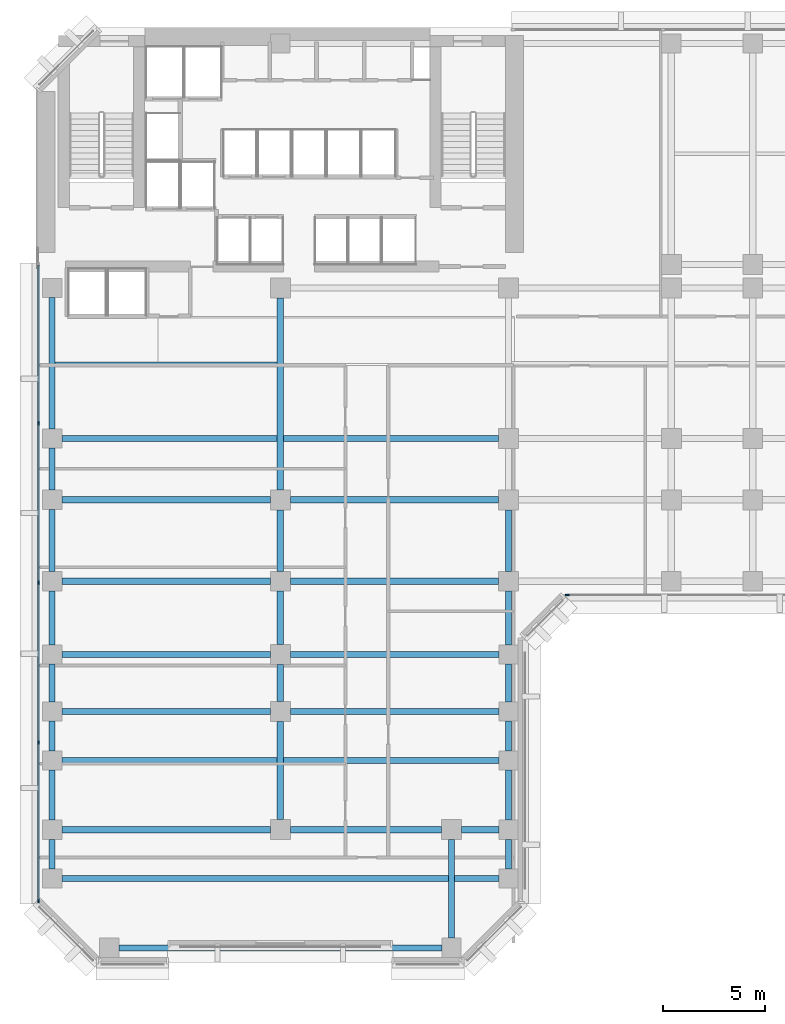
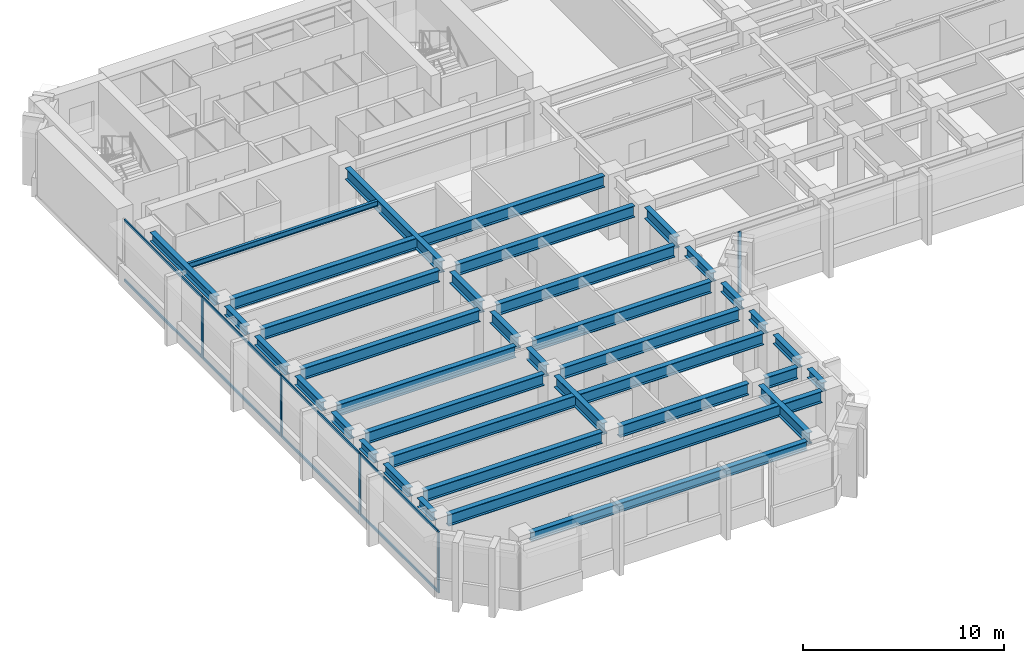
# One storey, part 2 of 14: 36 beams, 13 members, 2 elements without a shape of their own.
"""IFC4 building model written with IfcOpenShell, lengths in metres."""

from ifc_helpers import new_model, si_unit, direction, frame, origin, origin_2d, place, context, subcontext, project, spatial, rectangle, i_section, extrude, material, layer, layer_set, material_profile, profile_set, type_object, element, aggregate, save


model = new_model("IFC4")

# Units and contexts
model_context = context("Model", 3, precision=1e-05, world=origin(), true_north=direction((0.0, 1.0)))
body_context = subcontext(model_context, "Body", "Model", "MODEL_VIEW")
ifc_project = project(units=[si_unit("LENGTHUNIT", "METRE"), si_unit("AREAUNIT", "SQUARE_METRE"), si_unit("VOLUMEUNIT", "CUBIC_METRE"), si_unit("PLANEANGLEUNIT", "RADIAN"), si_unit("MASSUNIT", "GRAM", prefix="KILO")], contexts=[model_context])

# Site, building, storey
site_placement = place(None, origin())
site = spatial("IfcSite", under=ifc_project, at=site_placement, CompositionType="ELEMENT")
building_placement = place(site_placement, origin())
building = spatial("IfcBuilding", under=site, at=building_placement, Name="Kefirva Bronze Tower", CompositionType="ELEMENT")
storey_placement = place(building_placement, frame((0.0, 0.0, 66.0)))
storey = spatial("IfcBuildingStorey", under=building, at=storey_placement, Name="L15", CompositionType="ELEMENT", Elevation=66.0)

# Curtain wall, member
ifc_material_1 = material(Name="Bronze anodised aluminium", Category="aluminium")
ifc_layer = layer(ifc_material_1, 0.199951171875, Name="Bronze anodised aluminium")
ifc_layer_set = layer_set([ifc_layer], Name="Bronze anodised aluminium")
curtain_wall_type = type_object("IfcCurtainWallType", Name="Unitised Bronze Ribbon Curtain Wall Zone 1", PredefinedType="USERDEFINED", material=ifc_layer_set)
curtain_wall_1_placement = place(storey_placement, origin())
curtain_wall_1 = element("IfcCurtainWall", 1, at=curtain_wall_1_placement, inside=storey, type_object=curtain_wall_type, Name="L15 Curtain Wall 1", ObjectType="UNITISED CURTAIN WALL", PredefinedType="USERDEFINED")
ifc_material_profile_1 = material_profile(ifc_material_1, rectangle(XDim=0.074951171875, YDim=0.179931640625, at=origin_2d()), Name="ALU 75x180")
ifc_profile_set_1 = profile_set([ifc_material_profile_1], Name="Bronze anodised aluminium")
member_type_1 = type_object("IfcMemberType", Name="Bronze Mullion 75x180", PredefinedType="MULLION", material=ifc_profile_set_1)
member_1_placement = place(storey_placement, frame((26.092529296875, 18.1201171875, 0.0), z_axis=(0.0, 0.0, 1.0), x_axis=(0.0, 1.0, 0.0)))
member_1 = element("IfcMember", 2, at=member_1_placement, type_object=member_type_1, Name="CW-01 mullion 1", PredefinedType="MULLION", context=body_context, shape_type="SweptSolid", body=[
    extrude(rectangle(XDim=0.074951171875, YDim=0.179931640625, at=origin_2d()), origin(), (0.0, 0.0, 1.0), 3.7099609375),
])
aggregate(curtain_wall_1, [member_1])

# Curtain wall, members
curtain_wall_2_placement = place(storey_placement, origin())
curtain_wall_2 = element("IfcCurtainWall", 3, at=curtain_wall_2_placement, inside=storey, type_object=curtain_wall_type, Name="L15 Curtain Wall 4", ObjectType="UNITISED CURTAIN WALL", PredefinedType="USERDEFINED")
member_2_placement = place(storey_placement, frame((0.1201171875, 26.56005859375, 0.0), z_axis=(0.0, 0.0, 1.0), x_axis=(1.0, 0.0, 0.0)))
member_2 = element("IfcMember", 4, at=member_2_placement, type_object=member_type_1, Name="CW-01 mullion 2", PredefinedType="MULLION", context=body_context, shape_type="SweptSolid", body=[
    extrude(rectangle(XDim=0.074951171875, YDim=0.179931640625, at=origin_2d()), origin(), (0.0, 0.0, 1.0), 3.7099609375),
])
member_3_placement = place(storey_placement, frame((0.1201171875, 18.72509765625, 0.0), z_axis=(0.0, 0.0, 1.0), x_axis=(1.0, 0.0, 0.0)))
member_3 = element("IfcMember", 5, at=member_3_placement, type_object=member_type_1, Name="CW-01 mullion 3", PredefinedType="MULLION", context=body_context, shape_type="SweptSolid", body=[
    extrude(rectangle(XDim=0.074951171875, YDim=0.179931640625, at=origin_2d()), origin(), (0.0, 0.0, 1.0), 3.7099609375),
])
member_4_placement = place(storey_placement, frame((0.1201171875, 10.889892578125, 0.0), z_axis=(0.0, 0.0, 1.0), x_axis=(1.0, 0.0, 0.0)))
member_4 = element("IfcMember", 6, at=member_4_placement, type_object=member_type_1, Name="CW-01 mullion 4", PredefinedType="MULLION", context=body_context, shape_type="SweptSolid", body=[
    extrude(rectangle(XDim=0.074951171875, YDim=0.179931640625, at=origin_2d()), origin(), (0.0, 0.0, 1.0), 3.7099609375),
])
member_5_placement = place(storey_placement, frame((0.1201171875, 3.092529296875, 0.0), z_axis=(0.0, 0.0, 1.0), x_axis=(1.0, 0.0, 0.0)))
member_5 = element("IfcMember", 7, at=member_5_placement, type_object=member_type_1, Name="CW-01 mullion 5", PredefinedType="MULLION", context=body_context, shape_type="SweptSolid", body=[
    extrude(rectangle(XDim=0.074951171875, YDim=0.179931640625, at=origin_2d()), origin(), (0.0, 0.0, 1.0), 3.7099609375),
])
ifc_material_profile_2 = material_profile(ifc_material_1, rectangle(XDim=0.074951171875, YDim=0.14990234375, at=origin_2d()), Name="ALU 75x150")
ifc_profile_set_2 = profile_set([ifc_material_profile_2], Name="Bronze anodised aluminium")
member_type_2 = type_object("IfcMemberType", Name="Bronze Transom 75x150", PredefinedType="USERDEFINED", material=ifc_profile_set_2)
member_6_placement = place(storey_placement, frame((0.1201171875, 34.320068359375, 0.03759765625), z_axis=(0.0, -1.0, 0.0), x_axis=(1.0, 0.0, 0.0)))
member_6 = element("IfcMember", 8, at=member_6_placement, type_object=member_type_2, Name="CW-01 transom 1.1", ObjectType="TRANSOM", PredefinedType="USERDEFINED", context=body_context, shape_type="SweptSolid", body=[
    extrude(rectangle(XDim=0.074951171875, YDim=0.14990234375, at=origin_2d()), origin(), (0.0, 0.0, 1.0), 7.72265625),
])
member_7_placement = place(storey_placement, frame((0.1201171875, 34.320068359375, 3.672607421875), z_axis=(0.0, -1.0, 0.0), x_axis=(1.0, 0.0, 0.0)))
member_7 = element("IfcMember", 9, at=member_7_placement, type_object=member_type_2, Name="CW-01 transom 1.2", ObjectType="TRANSOM", PredefinedType="USERDEFINED", context=body_context, shape_type="SweptSolid", body=[
    extrude(rectangle(XDim=0.074951171875, YDim=0.14990234375, at=origin_2d()), origin(), (0.0, 0.0, 1.0), 7.72265625),
])
member_8_placement = place(storey_placement, frame((0.1201171875, 26.5224609375, 0.03759765625), z_axis=(0.0, -1.0, 0.0), x_axis=(1.0, 0.0, 0.0)))
member_8 = element("IfcMember", 10, at=member_8_placement, type_object=member_type_2, Name="CW-01 transom 2.1", ObjectType="TRANSOM", PredefinedType="USERDEFINED", context=body_context, shape_type="SweptSolid", body=[
    extrude(rectangle(XDim=0.074951171875, YDim=0.14990234375, at=origin_2d()), origin(), (0.0, 0.0, 1.0), 7.760009765625),
])
member_9_placement = place(storey_placement, frame((0.1201171875, 26.5224609375, 3.672607421875), z_axis=(0.0, -1.0, 0.0), x_axis=(1.0, 0.0, 0.0)))
member_9 = element("IfcMember", 11, at=member_9_placement, type_object=member_type_2, Name="CW-01 transom 2.2", ObjectType="TRANSOM", PredefinedType="USERDEFINED", context=body_context, shape_type="SweptSolid", body=[
    extrude(rectangle(XDim=0.074951171875, YDim=0.14990234375, at=origin_2d()), origin(), (0.0, 0.0, 1.0), 7.760009765625),
])
member_10_placement = place(storey_placement, frame((0.1201171875, 18.6875, 0.03759765625), z_axis=(0.0, -1.0, 0.0), x_axis=(1.0, 0.0, 0.0)))
member_10 = element("IfcMember", 12, at=member_10_placement, type_object=member_type_2, Name="CW-01 transom 3.1", ObjectType="TRANSOM", PredefinedType="USERDEFINED", context=body_context, shape_type="SweptSolid", body=[
    extrude(rectangle(XDim=0.074951171875, YDim=0.14990234375, at=origin_2d()), origin(), (0.0, 0.0, 1.0), 7.760009765625),
])
member_11_placement = place(storey_placement, frame((0.1201171875, 18.6875, 3.672607421875), z_axis=(0.0, -1.0, 0.0), x_axis=(1.0, 0.0, 0.0)))
member_11 = element("IfcMember", 13, at=member_11_placement, type_object=member_type_2, Name="CW-01 transom 3.2", ObjectType="TRANSOM", PredefinedType="USERDEFINED", context=body_context, shape_type="SweptSolid", body=[
    extrude(rectangle(XDim=0.074951171875, YDim=0.14990234375, at=origin_2d()), origin(), (0.0, 0.0, 1.0), 7.760009765625),
])
member_12_placement = place(storey_placement, frame((0.1201171875, 10.8525390625, 0.03759765625), z_axis=(0.0, -1.0, 0.0), x_axis=(1.0, 0.0, 0.0)))
member_12 = element("IfcMember", 14, at=member_12_placement, type_object=member_type_2, Name="CW-01 transom 4.1", ObjectType="TRANSOM", PredefinedType="USERDEFINED", context=body_context, shape_type="SweptSolid", body=[
    extrude(rectangle(XDim=0.074951171875, YDim=0.14990234375, at=origin_2d()), origin(), (0.0, 0.0, 1.0), 7.72265625),
])
member_13_placement = place(storey_placement, frame((0.1201171875, 10.8525390625, 3.672607421875), z_axis=(0.0, -1.0, 0.0), x_axis=(1.0, 0.0, 0.0)))
member_13 = element("IfcMember", 15, at=member_13_placement, type_object=member_type_2, Name="CW-01 transom 4.2", ObjectType="TRANSOM", PredefinedType="USERDEFINED", context=body_context, shape_type="SweptSolid", body=[
    extrude(rectangle(XDim=0.074951171875, YDim=0.14990234375, at=origin_2d()), origin(), (0.0, 0.0, 1.0), 7.72265625),
])
aggregate(curtain_wall_2, [member_2, member_3, member_4, member_5, member_6, member_7, member_8, member_9, member_10, member_11, member_12, member_13])

# Beams
ifc_material_2 = material(Name="Steel S355", Category="steel")
ifc_material_profile_3 = material_profile(ifc_material_2, i_section(OverallWidth=0.159912109375, OverallDepth=0.330078125, WebThickness=0.007568359375, FlangeThickness=0.011474609375, at=origin_2d()), Name="IPE 330")
ifc_profile_set_3 = profile_set([ifc_material_profile_3], Name="Steel S355")
beam_type_1 = type_object("IfcBeamType", Name="Steel Floor Joist IPE 330", PredefinedType="JOIST", material=ifc_profile_set_3)
beam_1_placement = place(storey_placement, frame((0.949951171875, 29.489990234375, 3.544921875), z_axis=(1.0, 0.0, 0.0), x_axis=(0.0, 1.0, 0.0)))
element("IfcBeam", 16, at=beam_1_placement, inside=storey, type_object=beam_type_1, Name="L15 JST-L15-0-294", PredefinedType="JOIST", context=body_context, shape_type="SweptSolid", body=[
    extrude(i_section(OverallWidth=0.159912109375, OverallDepth=0.330078125, WebThickness=0.007568359375, FlangeThickness=0.011474609375, at=origin_2d()), origin(), (0.0, 0.0, 1.0), 10.900146484375),
])
ifc_material_profile_4 = material_profile(ifc_material_2, i_section(OverallWidth=0.300048828125, OverallDepth=0.699951171875, WebThickness=0.01708984375, FlangeThickness=0.031982421875, at=origin_2d()), Name="HEB 700")
ifc_profile_set_4 = profile_set([ifc_material_profile_4], Name="Steel S355")
beam_type_2 = type_object("IfcBeamType", Name="Steel Girder HEB 700", PredefinedType="USERDEFINED", material=ifc_profile_set_4)
beam_2_placement = place(storey_placement, frame((1.27001953125, 4.199951171875, 3.360107421875), z_axis=(1.0, 0.0, 0.0), x_axis=(0.0, 1.0, 0.0)))
element("IfcBeam", 17, at=beam_2_placement, inside=storey, type_object=beam_type_2, Name="L15 BM-L15-EW-0-42", ObjectType="GIRDER", PredefinedType="USERDEFINED", context=body_context, shape_type="SweptSolid", body=[
    extrude(i_section(OverallWidth=0.300048828125, OverallDepth=0.699951171875, WebThickness=0.01708984375, FlangeThickness=0.031982421875, at=origin_2d()), origin(), (0.0, 0.0, 1.0), 21.4599609375),
])
beam_3_placement = place(storey_placement, frame((1.27001953125, 6.60009765625, 3.360107421875), z_axis=(1.0, 0.0, 0.0), x_axis=(0.0, 1.0, 0.0)))
element("IfcBeam", 18, at=beam_3_placement, inside=storey, type_object=beam_type_2, Name="L15 BM-L15-EW-0-66", ObjectType="GIRDER", PredefinedType="USERDEFINED", context=body_context, shape_type="SweptSolid", body=[
    extrude(i_section(OverallWidth=0.300048828125, OverallDepth=0.699951171875, WebThickness=0.01708984375, FlangeThickness=0.031982421875, at=origin_2d()), origin(), (0.0, 0.0, 1.0), 10.239990234375),
])
beam_4_placement = place(storey_placement, frame((12.489990234375, 6.60009765625, 3.360107421875), z_axis=(1.0, 0.0, 0.0), x_axis=(0.0, 1.0, 0.0)))
element("IfcBeam", 19, at=beam_4_placement, inside=storey, type_object=beam_type_2, Name="L15 BM-L15-EW-12-66", ObjectType="GIRDER", PredefinedType="USERDEFINED", context=body_context, shape_type="SweptSolid", body=[
    extrude(i_section(OverallWidth=0.300048828125, OverallDepth=0.699951171875, WebThickness=0.01708984375, FlangeThickness=0.031982421875, at=origin_2d()), origin(), (0.0, 0.0, 1.0), 7.419921875),
])
beam_5_placement = place(storey_placement, frame((20.889892578125, 6.60009765625, 3.360107421875), z_axis=(1.0, 0.0, 0.0), x_axis=(0.0, 1.0, 0.0)))
element("IfcBeam", 20, at=beam_5_placement, inside=storey, type_object=beam_type_2, Name="L15 BM-L15-EW-20-66", ObjectType="GIRDER", PredefinedType="USERDEFINED", context=body_context, shape_type="SweptSolid", body=[
    extrude(i_section(OverallWidth=0.300048828125, OverallDepth=0.699951171875, WebThickness=0.01708984375, FlangeThickness=0.031982421875, at=origin_2d()), origin(), (0.0, 0.0, 1.0), 1.840087890625),
])
beam_6_placement = place(storey_placement, frame((1.27001953125, 10.0, 3.360107421875), z_axis=(1.0, 0.0, 0.0), x_axis=(0.0, 1.0, 0.0)))
element("IfcBeam", 21, at=beam_6_placement, inside=storey, type_object=beam_type_2, Name="L15 BM-L15-EW-0-100", ObjectType="GIRDER", PredefinedType="USERDEFINED", context=body_context, shape_type="SweptSolid", body=[
    extrude(i_section(OverallWidth=0.300048828125, OverallDepth=0.699951171875, WebThickness=0.01708984375, FlangeThickness=0.031982421875, at=origin_2d()), origin(), (0.0, 0.0, 1.0), 21.4599609375),
])
for number, where, z_axis, x_axis, name in (
    (22, (1.27001953125, 12.39990234375, 3.360107421875), (1.0, 0.0, 0.0), (0.0, 1.0, 0.0), "L15 BM-L15-EW-0-124"),
    (23, (12.489990234375, 12.39990234375, 3.360107421875), (1.0, 0.0, 0.0), (0.0, 1.0, 0.0), "L15 BM-L15-EW-12-124"),
    (24, (1.27001953125, 15.199951171875, 3.360107421875), (1.0, 0.0, 0.0), (0.0, 1.0, 0.0), "L15 BM-L15-EW-0-152"),
    (25, (12.489990234375, 15.199951171875, 3.360107421875), (1.0, 0.0, 0.0), (0.0, 1.0, 0.0), "L15 BM-L15-EW-12-152"),
    (26, (1.27001953125, 18.800048828125, 3.360107421875), (1.0, 0.0, 0.0), (0.0, 1.0, 0.0), "L15 BM-L15-EW-0-188"),
):
    element("IfcBeam", number, at=place(storey_placement, frame(where, z_axis=z_axis, x_axis=x_axis)), inside=storey, type_object=beam_type_2, Name=name, ObjectType="GIRDER", PredefinedType="USERDEFINED", context=body_context, shape_type="SweptSolid", body=[
        extrude(i_section(OverallWidth=0.300048828125, OverallDepth=0.699951171875, WebThickness=0.01708984375, FlangeThickness=0.031982421875, at=origin_2d()), origin(), (0.0, 0.0, 1.0), 10.239990234375),
    ])
beam_7_placement = place(storey_placement, frame((12.489990234375, 18.800048828125, 3.360107421875), z_axis=(1.0, 0.0, 0.0), x_axis=(0.0, 1.0, 0.0)))
element("IfcBeam", 27, at=beam_7_placement, inside=storey, type_object=beam_type_2, Name="L15 BM-L15-EW-12-188", ObjectType="GIRDER", PredefinedType="USERDEFINED", context=body_context, shape_type="SweptSolid", body=[
    extrude(i_section(OverallWidth=0.300048828125, OverallDepth=0.699951171875, WebThickness=0.01708984375, FlangeThickness=0.031982421875, at=origin_2d()), origin(), (0.0, 0.0, 1.0), 10.219970703125),
])
beam_8_placement = place(storey_placement, frame((1.27001953125, 22.800048828125, 3.360107421875), z_axis=(1.0, 0.0, 0.0), x_axis=(0.0, 1.0, 0.0)))
element("IfcBeam", 28, at=beam_8_placement, inside=storey, type_object=beam_type_2, Name="L15 BM-L15-EW-0-228", ObjectType="GIRDER", PredefinedType="USERDEFINED", context=body_context, shape_type="SweptSolid", body=[
    extrude(i_section(OverallWidth=0.300048828125, OverallDepth=0.699951171875, WebThickness=0.01708984375, FlangeThickness=0.031982421875, at=origin_2d()), origin(), (0.0, 0.0, 1.0), 10.239990234375),
])
beam_9_placement = place(storey_placement, frame((12.489990234375, 22.800048828125, 3.360107421875), z_axis=(1.0, 0.0, 0.0), x_axis=(0.0, 1.0, 0.0)))
element("IfcBeam", 29, at=beam_9_placement, inside=storey, type_object=beam_type_2, Name="L15 BM-L15-EW-12-228", ObjectType="GIRDER", PredefinedType="USERDEFINED", context=body_context, shape_type="SweptSolid", body=[
    extrude(i_section(OverallWidth=0.300048828125, OverallDepth=0.699951171875, WebThickness=0.01708984375, FlangeThickness=0.031982421875, at=origin_2d()), origin(), (0.0, 0.0, 1.0), 10.219970703125),
])
beam_10_placement = place(storey_placement, frame((1.27001953125, 25.800048828125, 3.360107421875), z_axis=(1.0, 0.0, 0.0), x_axis=(0.0, 1.0, 0.0)))
element("IfcBeam", 30, at=beam_10_placement, inside=storey, type_object=beam_type_2, Name="L15 BM-L15-EW-0-258", ObjectType="GIRDER", PredefinedType="USERDEFINED", context=body_context, shape_type="SweptSolid", body=[
    extrude(i_section(OverallWidth=0.300048828125, OverallDepth=0.699951171875, WebThickness=0.01708984375, FlangeThickness=0.031982421875, at=origin_2d()), origin(), (0.0, 0.0, 1.0), 21.43994140625),
])
beam_11_placement = place(storey_placement, frame((12.0, 7.090087890625, 3.360107421875), z_axis=(0.0, 1.0, 0.0), x_axis=(-1.0, 0.0, 0.0)))
element("IfcBeam", 31, at=beam_11_placement, inside=storey, type_object=beam_type_2, Name="L15 BM-L15-NS-120-6", ObjectType="GIRDER", PredefinedType="USERDEFINED", context=body_context, shape_type="SweptSolid", body=[
    extrude(i_section(OverallWidth=0.300048828125, OverallDepth=0.699951171875, WebThickness=0.01708984375, FlangeThickness=0.031982421875, at=origin_2d()), origin(), (0.0, 0.0, 1.0), 4.81982421875),
])
beam_12_placement = place(storey_placement, frame((12.0, 12.889892578125, 3.360107421875), z_axis=(0.0, 1.0, 0.0), x_axis=(-1.0, 0.0, 0.0)))
element("IfcBeam", 32, at=beam_12_placement, inside=storey, type_object=beam_type_2, Name="L15 BM-L15-NS-120-12", ObjectType="GIRDER", PredefinedType="USERDEFINED", context=body_context, shape_type="SweptSolid", body=[
    extrude(i_section(OverallWidth=0.300048828125, OverallDepth=0.699951171875, WebThickness=0.01708984375, FlangeThickness=0.031982421875, at=origin_2d()), origin(), (0.0, 0.0, 1.0), 1.820068359375),
])
beam_13_placement = place(storey_placement, frame((12.0, 15.68994140625, 3.360107421875), z_axis=(0.0, 1.0, 0.0), x_axis=(-1.0, 0.0, 0.0)))
element("IfcBeam", 33, at=beam_13_placement, inside=storey, type_object=beam_type_2, Name="L15 BM-L15-NS-120-15", ObjectType="GIRDER", PredefinedType="USERDEFINED", context=body_context, shape_type="SweptSolid", body=[
    extrude(i_section(OverallWidth=0.300048828125, OverallDepth=0.699951171875, WebThickness=0.01708984375, FlangeThickness=0.031982421875, at=origin_2d()), origin(), (0.0, 0.0, 1.0), 2.6201171875),
])
beam_14_placement = place(storey_placement, frame((12.0, 19.2900390625, 3.360107421875), z_axis=(0.0, 1.0, 0.0), x_axis=(-1.0, 0.0, 0.0)))
element("IfcBeam", 34, at=beam_14_placement, inside=storey, type_object=beam_type_2, Name="L15 BM-L15-NS-120-18", ObjectType="GIRDER", PredefinedType="USERDEFINED", context=body_context, shape_type="SweptSolid", body=[
    extrude(i_section(OverallWidth=0.300048828125, OverallDepth=0.699951171875, WebThickness=0.01708984375, FlangeThickness=0.031982421875, at=origin_2d()), origin(), (0.0, 0.0, 1.0), 3.02001953125),
])
beam_15_placement = place(storey_placement, frame((12.0, 23.2900390625, 3.360107421875), z_axis=(0.0, 1.0, 0.0), x_axis=(-1.0, 0.0, 0.0)))
element("IfcBeam", 35, at=beam_15_placement, inside=storey, type_object=beam_type_2, Name="L15 BM-L15-NS-120-22", ObjectType="GIRDER", PredefinedType="USERDEFINED", context=body_context, shape_type="SweptSolid", body=[
    extrude(i_section(OverallWidth=0.300048828125, OverallDepth=0.699951171875, WebThickness=0.01708984375, FlangeThickness=0.031982421875, at=origin_2d()), origin(), (0.0, 0.0, 1.0), 9.419921875),
])
beam_16_placement = place(storey_placement, frame((20.39990234375, 1.27001953125, 3.360107421875), z_axis=(0.0, 1.0, 0.0), x_axis=(-1.0, 0.0, 0.0)))
element("IfcBeam", 36, at=beam_16_placement, inside=storey, type_object=beam_type_2, Name="L15 BM-L15-NS-204-0", ObjectType="GIRDER", PredefinedType="USERDEFINED", context=body_context, shape_type="SweptSolid", body=[
    extrude(i_section(OverallWidth=0.300048828125, OverallDepth=0.699951171875, WebThickness=0.01708984375, FlangeThickness=0.031982421875, at=origin_2d()), origin(), (0.0, 0.0, 1.0), 4.840087890625),
])
beam_17_placement = place(storey_placement, frame((23.199951171875, 19.2900390625, 3.360107421875), z_axis=(0.0, 1.0, 0.0), x_axis=(-1.0, 0.0, 0.0)))
element("IfcBeam", 37, at=beam_17_placement, inside=storey, type_object=beam_type_2, Name="L15 BM-L15-NS-232-18", ObjectType="GIRDER", PredefinedType="USERDEFINED", context=body_context, shape_type="SweptSolid", body=[
    extrude(i_section(OverallWidth=0.300048828125, OverallDepth=0.699951171875, WebThickness=0.01708984375, FlangeThickness=0.031982421875, at=origin_2d()), origin(), (0.0, 0.0, 1.0), 3.02001953125),
])
ifc_material_profile_5 = material_profile(ifc_material_2, i_section(OverallWidth=0.300048828125, OverallDepth=0.550048828125, WebThickness=0.014892578125, FlangeThickness=0.029052734375, at=origin_2d()), Name="HEB 550")
ifc_profile_set_5 = profile_set([ifc_material_profile_5], Name="Steel S355")
beam_type_3 = type_object("IfcBeamType", Name="Steel Spandrel HEB 550 Ext", PredefinedType="SPANDREL", material=ifc_profile_set_5)
beam_18_placement = place(storey_placement, frame((4.070068359375, 0.800048828125, 3.43505859375), z_axis=(1.0, 0.0, 0.0), x_axis=(0.0, 1.0, 0.0)))
element("IfcBeam", 38, at=beam_18_placement, inside=storey, type_object=beam_type_3, Name="L15 BM-L15-EW-3-8", PredefinedType="SPANDREL", context=body_context, shape_type="SweptSolid", body=[
    extrude(i_section(OverallWidth=0.300048828125, OverallDepth=0.550048828125, WebThickness=0.014892578125, FlangeThickness=0.029052734375, at=origin_2d()), origin(), (0.0, 0.0, 1.0), 15.85986328125),
])
beam_19_placement = place(storey_placement, frame((0.800048828125, 4.669921875, 3.43505859375), z_axis=(0.0, 1.0, 0.0), x_axis=(-1.0, 0.0, 0.0)))
element("IfcBeam", 39, at=beam_19_placement, inside=storey, type_object=beam_type_3, Name="L15 BM-L15-NS-8-4", PredefinedType="SPANDREL", context=body_context, shape_type="SweptSolid", body=[
    extrude(i_section(OverallWidth=0.300048828125, OverallDepth=0.550048828125, WebThickness=0.014892578125, FlangeThickness=0.029052734375, at=origin_2d()), origin(), (0.0, 0.0, 1.0), 1.4599609375),
])
beam_20_placement = place(storey_placement, frame((0.800048828125, 7.070068359375, 3.43505859375), z_axis=(0.0, 1.0, 0.0), x_axis=(-1.0, 0.0, 0.0)))
element("IfcBeam", 40, at=beam_20_placement, inside=storey, type_object=beam_type_3, Name="L15 BM-L15-NS-8-6", PredefinedType="SPANDREL", context=body_context, shape_type="SweptSolid", body=[
    extrude(i_section(OverallWidth=0.300048828125, OverallDepth=0.550048828125, WebThickness=0.014892578125, FlangeThickness=0.029052734375, at=origin_2d()), origin(), (0.0, 0.0, 1.0), 2.4599609375),
])
beam_21_placement = place(storey_placement, frame((0.800048828125, 10.469970703125, 3.43505859375), z_axis=(0.0, 1.0, 0.0), x_axis=(-1.0, 0.0, 0.0)))
element("IfcBeam", 41, at=beam_21_placement, inside=storey, type_object=beam_type_3, Name="L15 BM-L15-NS-8-10", PredefinedType="SPANDREL", context=body_context, shape_type="SweptSolid", body=[
    extrude(i_section(OverallWidth=0.300048828125, OverallDepth=0.550048828125, WebThickness=0.014892578125, FlangeThickness=0.029052734375, at=origin_2d()), origin(), (0.0, 0.0, 1.0), 1.4599609375),
])
beam_22_placement = place(storey_placement, frame((0.800048828125, 12.8701171875, 3.43505859375), z_axis=(0.0, 1.0, 0.0), x_axis=(-1.0, 0.0, 0.0)))
element("IfcBeam", 42, at=beam_22_placement, inside=storey, type_object=beam_type_3, Name="L15 BM-L15-NS-8-12", PredefinedType="SPANDREL", context=body_context, shape_type="SweptSolid", body=[
    extrude(i_section(OverallWidth=0.300048828125, OverallDepth=0.550048828125, WebThickness=0.014892578125, FlangeThickness=0.029052734375, at=origin_2d()), origin(), (0.0, 0.0, 1.0), 1.85986328125),
])
beam_23_placement = place(storey_placement, frame((0.800048828125, 15.669921875, 3.43505859375), z_axis=(0.0, 1.0, 0.0), x_axis=(-1.0, 0.0, 0.0)))
element("IfcBeam", 43, at=beam_23_placement, inside=storey, type_object=beam_type_3, Name="L15 BM-L15-NS-8-15", PredefinedType="SPANDREL", context=body_context, shape_type="SweptSolid", body=[
    extrude(i_section(OverallWidth=0.300048828125, OverallDepth=0.550048828125, WebThickness=0.014892578125, FlangeThickness=0.029052734375, at=origin_2d()), origin(), (0.0, 0.0, 1.0), 2.66015625),
])
beam_24_placement = place(storey_placement, frame((0.800048828125, 19.27001953125, 3.43505859375), z_axis=(0.0, 1.0, 0.0), x_axis=(-1.0, 0.0, 0.0)))
element("IfcBeam", 44, at=beam_24_placement, inside=storey, type_object=beam_type_3, Name="L15 BM-L15-NS-8-18", PredefinedType="SPANDREL", context=body_context, shape_type="SweptSolid", body=[
    extrude(i_section(OverallWidth=0.300048828125, OverallDepth=0.550048828125, WebThickness=0.014892578125, FlangeThickness=0.029052734375, at=origin_2d()), origin(), (0.0, 0.0, 1.0), 3.06005859375),
])
beam_25_placement = place(storey_placement, frame((0.800048828125, 23.27001953125, 3.43505859375), z_axis=(0.0, 1.0, 0.0), x_axis=(-1.0, 0.0, 0.0)))
element("IfcBeam", 45, at=beam_25_placement, inside=storey, type_object=beam_type_3, Name="L15 BM-L15-NS-8-22", PredefinedType="SPANDREL", context=body_context, shape_type="SweptSolid", body=[
    extrude(i_section(OverallWidth=0.300048828125, OverallDepth=0.550048828125, WebThickness=0.014892578125, FlangeThickness=0.029052734375, at=origin_2d()), origin(), (0.0, 0.0, 1.0), 2.06005859375),
])
beam_26_placement = place(storey_placement, frame((0.800048828125, 26.27001953125, 3.43505859375), z_axis=(0.0, 1.0, 0.0), x_axis=(-1.0, 0.0, 0.0)))
element("IfcBeam", 46, at=beam_26_placement, inside=storey, type_object=beam_type_3, Name="L15 BM-L15-NS-8-25", PredefinedType="SPANDREL", context=body_context, shape_type="SweptSolid", body=[
    extrude(i_section(OverallWidth=0.300048828125, OverallDepth=0.550048828125, WebThickness=0.014892578125, FlangeThickness=0.029052734375, at=origin_2d()), origin(), (0.0, 0.0, 1.0), 6.4599609375),
])
beam_27_placement = place(storey_placement, frame((23.199951171875, 4.669921875, 3.43505859375), z_axis=(0.0, 1.0, 0.0), x_axis=(-1.0, 0.0, 0.0)))
element("IfcBeam", 47, at=beam_27_placement, inside=storey, type_object=beam_type_3, Name="L15 BM-L15-NS-232-4", PredefinedType="SPANDREL", context=body_context, shape_type="SweptSolid", body=[
    extrude(i_section(OverallWidth=0.300048828125, OverallDepth=0.550048828125, WebThickness=0.014892578125, FlangeThickness=0.029052734375, at=origin_2d()), origin(), (0.0, 0.0, 1.0), 1.4599609375),
])
beam_28_placement = place(storey_placement, frame((23.199951171875, 7.070068359375, 3.43505859375), z_axis=(0.0, 1.0, 0.0), x_axis=(-1.0, 0.0, 0.0)))
element("IfcBeam", 48, at=beam_28_placement, inside=storey, type_object=beam_type_3, Name="L15 BM-L15-NS-232-6", PredefinedType="SPANDREL", context=body_context, shape_type="SweptSolid", body=[
    extrude(i_section(OverallWidth=0.300048828125, OverallDepth=0.550048828125, WebThickness=0.014892578125, FlangeThickness=0.029052734375, at=origin_2d()), origin(), (0.0, 0.0, 1.0), 2.4599609375),
])
beam_29_placement = place(storey_placement, frame((23.199951171875, 10.469970703125, 3.43505859375), z_axis=(0.0, 1.0, 0.0), x_axis=(-1.0, 0.0, 0.0)))
element("IfcBeam", 49, at=beam_29_placement, inside=storey, type_object=beam_type_3, Name="L15 BM-L15-NS-232-10", PredefinedType="SPANDREL", context=body_context, shape_type="SweptSolid", body=[
    extrude(i_section(OverallWidth=0.300048828125, OverallDepth=0.550048828125, WebThickness=0.014892578125, FlangeThickness=0.029052734375, at=origin_2d()), origin(), (0.0, 0.0, 1.0), 1.4599609375),
])
beam_30_placement = place(storey_placement, frame((23.199951171875, 12.8701171875, 3.43505859375), z_axis=(0.0, 1.0, 0.0), x_axis=(-1.0, 0.0, 0.0)))
element("IfcBeam", 50, at=beam_30_placement, inside=storey, type_object=beam_type_3, Name="L15 BM-L15-NS-232-12", PredefinedType="SPANDREL", context=body_context, shape_type="SweptSolid", body=[
    extrude(i_section(OverallWidth=0.300048828125, OverallDepth=0.550048828125, WebThickness=0.014892578125, FlangeThickness=0.029052734375, at=origin_2d()), origin(), (0.0, 0.0, 1.0), 1.85986328125),
])
beam_31_placement = place(storey_placement, frame((23.199951171875, 15.669921875, 3.43505859375), z_axis=(0.0, 1.0, 0.0), x_axis=(-1.0, 0.0, 0.0)))
element("IfcBeam", 51, at=beam_31_placement, inside=storey, type_object=beam_type_3, Name="L15 BM-L15-NS-232-15", PredefinedType="SPANDREL", context=body_context, shape_type="SweptSolid", body=[
    extrude(i_section(OverallWidth=0.300048828125, OverallDepth=0.550048828125, WebThickness=0.014892578125, FlangeThickness=0.029052734375, at=origin_2d()), origin(), (0.0, 0.0, 1.0), 2.64013671875),
])

save(model, "model.ifc")
